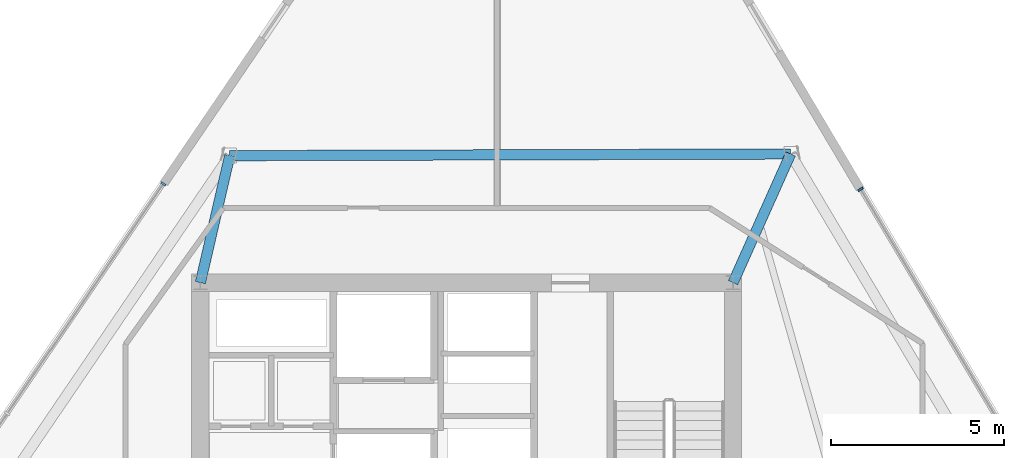
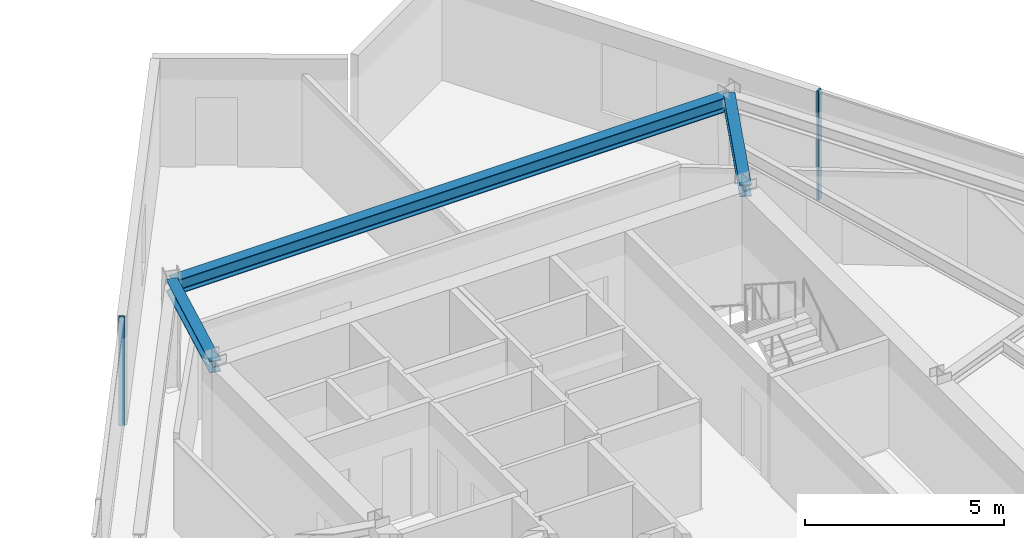
# One storey, part 7 of 16: 3 beams, 2 members, 2 elements without a shape of their own.
"""IFC4 building model written with IfcOpenShell, lengths in metres."""

from ifc_helpers import new_model, si_unit, direction, frame, origin, origin_2d, place, context, subcontext, project, spatial, rectangle, i_section, extrude, material, material_profile, profile_set, type_object, element, aggregate, save


model = new_model("IFC4")

# Units and contexts
model_context = context("Model", 3, precision=1e-05, world=origin(), true_north=direction((0.0, 1.0)))
body_context = subcontext(model_context, "Body", "Model", "MODEL_VIEW")
ifc_project = project(units=[si_unit("LENGTHUNIT", "METRE"), si_unit("AREAUNIT", "SQUARE_METRE"), si_unit("VOLUMEUNIT", "CUBIC_METRE"), si_unit("PLANEANGLEUNIT", "RADIAN"), si_unit("MASSUNIT", "GRAM", prefix="KILO")], contexts=[model_context])

# Site, building, storey
site_placement = place(None, origin())
site = spatial("IfcSite", under=ifc_project, at=site_placement, CompositionType="ELEMENT")
building_placement = place(site_placement, origin())
building = spatial("IfcBuilding", under=site, at=building_placement, Name="Savorim Split Tower", CompositionType="ELEMENT")
storey_placement = place(building_placement, frame((0.0, 0.0, 156.60009765625)))
storey = spatial("IfcBuildingStorey", under=building, at=storey_placement, Name="L41", CompositionType="ELEMENT", Elevation=156.60009765625)

# Beams
ifc_material_1 = material(Name="Steel S355", Category="steel")
ifc_material_profile_1 = material_profile(ifc_material_1, i_section(OverallWidth=0.300048828125, OverallDepth=0.360107421875, WebThickness=0.012451171875, FlangeThickness=0.0224609375, FilletRadius=0.027099609375, at=origin_2d()), Name="HEB 360")
ifc_profile_set_1 = profile_set([ifc_material_profile_1], Name="Steel S355")
beam_type_1 = type_object("IfcBeamType", Name="BM-PRI-HEB360", PredefinedType="BEAM", material=ifc_profile_set_1)
beam_1_placement = place(storey_placement, frame((9.3642578125, 13.9208984375, 3.169921875), z_axis=(-0.408299079703, -0.912848213841, 0.0), x_axis=(0.912848213841, -0.408299079703, 0.0)))
element("IfcBeam", 1, at=beam_1_placement, inside=storey, type_object=beam_type_1, Name="L41 Primary Floor Girder RG-07", PredefinedType="BEAM", context=body_context, shape_type="SweptSolid", body=[
    extrude(i_section(OverallWidth=0.300048828125, OverallDepth=0.360107421875, WebThickness=0.012451171875, FlangeThickness=0.0224609375, FilletRadius=0.027099609375, at=origin_2d()), origin(), (0.0, 0.0, 1.0), 4.076171875),
])
beam_2_placement = place(storey_placement, frame((-6.851318359375, 13.8720703125, 3.169921875), z_axis=(-0.225167007236, -0.974320182924, 0.0), x_axis=(0.974320182924, -0.225167007236, 0.0)))
element("IfcBeam", 2, at=beam_2_placement, inside=storey, type_object=beam_type_1, Name="L41 Primary Floor Girder RG-08", PredefinedType="BEAM", context=body_context, shape_type="SweptSolid", body=[
    extrude(i_section(OverallWidth=0.300048828125, OverallDepth=0.360107421875, WebThickness=0.012451171875, FlangeThickness=0.0224609375, FilletRadius=0.027099609375, at=origin_2d()), origin(), (0.0, 0.0, 1.0), 3.768798828125),
])
ifc_material_profile_2 = material_profile(ifc_material_1, i_section(OverallWidth=0.300048828125, OverallDepth=0.43994140625, WebThickness=0.011474609375, FlangeThickness=0.02099609375, FilletRadius=0.027099609375, at=origin_2d()), Name="HEA 450")
ifc_profile_set_2 = profile_set([ifc_material_profile_2], Name="Steel S355")
beam_type_2 = type_object("IfcBeamType", Name="BM-SPN-HEA450", PredefinedType="SPANDREL", material=ifc_profile_set_2)
beam_3_placement = place(storey_placement, frame((9.3642578125, 13.9208984375, 3.1298828125), z_axis=(-0.999995466409, -0.003011172907, 0.0), x_axis=(0.003011172907, -0.999995466409, 0.0)))
element("IfcBeam", 3, at=beam_3_placement, inside=storey, type_object=beam_type_2, Name="L41 Perimeter Spandrel Beam 7", PredefinedType="SPANDREL", context=body_context, shape_type="SweptSolid", body=[
    extrude(i_section(OverallWidth=0.300048828125, OverallDepth=0.43994140625, WebThickness=0.011474609375, FlangeThickness=0.02099609375, FilletRadius=0.027099609375, at=origin_2d()), origin(), (0.0, 0.0, 1.0), 16.215576171875),
])

# Curtain wall, member
ifc_material_2 = material(Name="Dark Ceramic-Fritted Insulated Glass", Category="glass")
curtain_wall_type = type_object("IfcCurtainWallType", Name="CW-TWR-FRIT-B", PredefinedType="NOTDEFINED", material=ifc_material_2)
curtain_wall_1_placement = place(storey_placement, origin())
curtain_wall_1 = element("IfcCurtainWall", 4, at=curtain_wall_1_placement, inside=storey, type_object=curtain_wall_type, Name="L41 Curtain Wall CW-L41-EAST", PredefinedType="NOTDEFINED")
ifc_material_3 = material(Name="Charcoal Anodised Aluminium", Category="aluminium")
ifc_material_profile_3 = material_profile(ifc_material_3, rectangle(XDim=0.159912109375, YDim=0.06005859375, at=origin_2d()), Name="ALU-M 160x60")
ifc_profile_set_3 = profile_set([ifc_material_profile_3], Name="Charcoal Anodised Aluminium")
member_type = type_object("IfcMemberType", Name="CWM-160x60", PredefinedType="MULLION", material=ifc_profile_set_3)
member_1_placement = place(storey_placement, frame((11.3857421875, 12.900390625, 0.0), z_axis=(0.0, 0.0, 1.0), x_axis=(-0.859526328423, -0.511091470039, 0.0)))
member_1 = element("IfcMember", 5, at=member_1_placement, type_object=member_type, Name="CW-03 mullion 5", PredefinedType="MULLION", context=body_context, shape_type="SweptSolid", body=[
    extrude(rectangle(XDim=0.159912109375, YDim=0.06005859375, at=origin_2d()), origin(), (0.0, 0.0, 1.0), 3.349853515625),
])
aggregate(curtain_wall_1, [member_1])

curtain_wall_2_placement = place(storey_placement, origin())
curtain_wall_2 = element("IfcCurtainWall", 6, at=curtain_wall_2_placement, inside=storey, type_object=curtain_wall_type, Name="L41 Curtain Wall CW-L41-WEST", PredefinedType="NOTDEFINED")
member_2_placement = place(storey_placement, frame((-8.767333984375, 13.05615234375, 0.0), z_axis=(0.0, 0.0, 1.0), x_axis=(0.826820104662, -0.562466456356, 0.0)))
member_2 = element("IfcMember", 7, at=member_2_placement, type_object=member_type, Name="CW-03 mullion 1", PredefinedType="MULLION", context=body_context, shape_type="SweptSolid", body=[
    extrude(rectangle(XDim=0.159912109375, YDim=0.06005859375, at=origin_2d()), origin(), (0.0, 0.0, 1.0), 3.349853515625),
])
aggregate(curtain_wall_2, [member_2])

save(model, "model.ifc")
